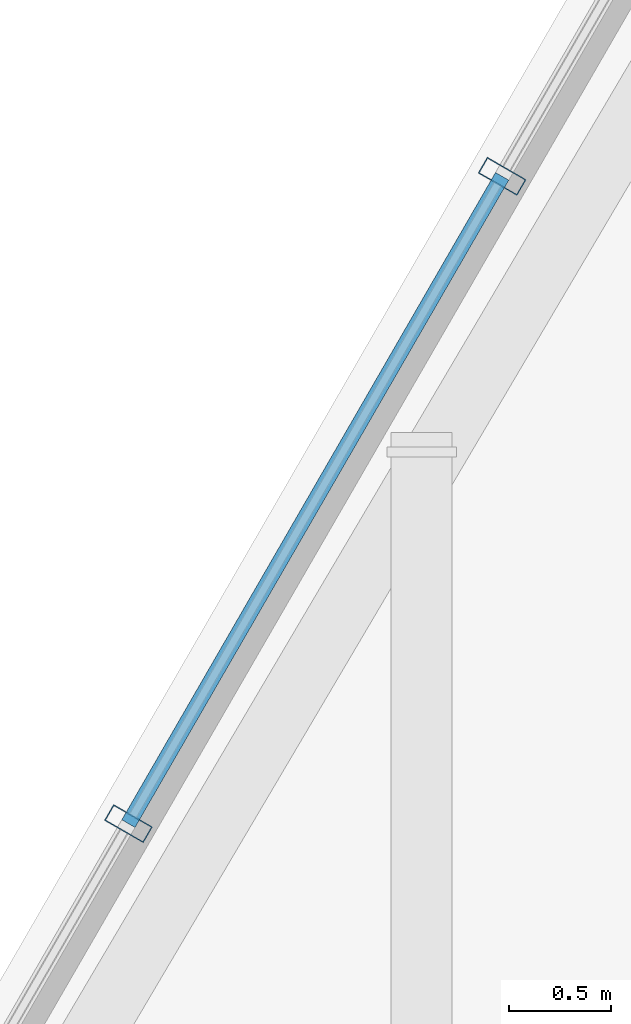
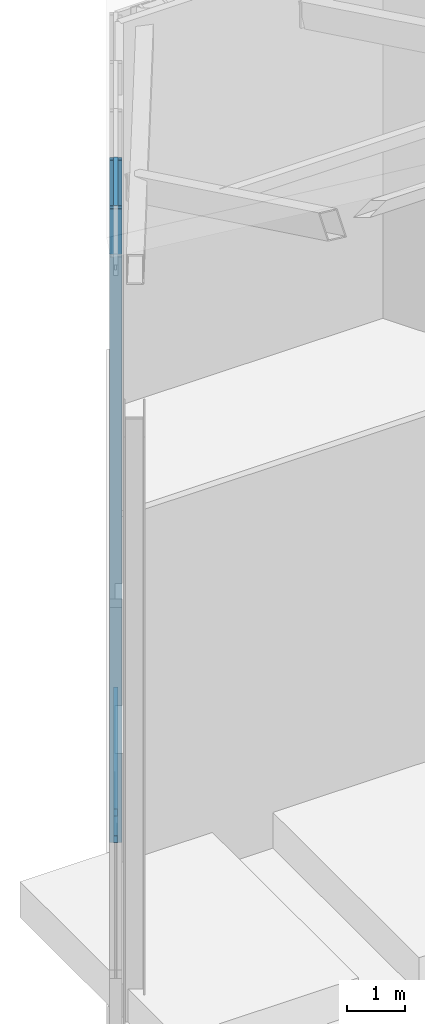
# One storey, part 19 of 36: 5 members, 2 elements without a shape of their own.
"""IFC4 building model written with IfcOpenShell, lengths in metres."""

from ifc_helpers import new_model, si_unit, direction, frame, origin, origin_2d, place, context, subcontext, project, spatial, hollow_rectangle, extrude, material, layer, layer_set, material_profile, profile_set, type_object, element, aggregate, save


model = new_model("IFC4")

# Units and contexts
model_context = context("Model", 3, precision=1e-05, world=origin(), true_north=direction((0.0, 1.0)))
body_context = subcontext(model_context, "Body", "Model", "MODEL_VIEW")
ifc_project = project(units=[si_unit("LENGTHUNIT", "METRE"), si_unit("AREAUNIT", "SQUARE_METRE"), si_unit("VOLUMEUNIT", "CUBIC_METRE"), si_unit("PLANEANGLEUNIT", "RADIAN"), si_unit("MASSUNIT", "GRAM", prefix="KILO")], contexts=[model_context])

# Site, building, storey
site_placement = place(None, origin())
site = spatial("IfcSite", under=ifc_project, at=site_placement, CompositionType="ELEMENT")
building_placement = place(site_placement, origin())
building = spatial("IfcBuilding", under=site, at=building_placement, Name="Ndaravel Arena Tower", CompositionType="ELEMENT")
storey_placement = place(building_placement, frame((0.0, 0.0, 308.10009765625)))
storey = spatial("IfcBuildingStorey", under=building, at=storey_placement, Name="Roof Crown", CompositionType="ELEMENT", Elevation=308.10009765625)

# Curtain wall, member
ifc_material_1 = material(Name="Aluminium", Category="aluminium")
ifc_layer = layer(ifc_material_1, 0.179931640625)
ifc_layer_set = layer_set([ifc_layer], Name="Aluminium")
curtain_wall_type = type_object("IfcCurtainWallType", Name="CW-SYS-06", PredefinedType="NOTDEFINED", material=ifc_layer_set)
curtain_wall_1_placement = place(storey_placement, origin())
curtain_wall_1 = element("IfcCurtainWall", 1, at=curtain_wall_1_placement, inside=storey, type_object=curtain_wall_type, Name="Roof Crown Sloped Crown Lantern Curtain Wall CW-CROWN-E05-S04", PredefinedType="NOTDEFINED")
ifc_material_2 = material(Name="Aluminium", Category="aluminium")
ifc_material_profile_1 = material_profile(ifc_material_2, hollow_rectangle(XDim=0.090087890625, YDim=0.219970703125, WallThickness=0.0048828125, at=origin_2d()), Name="CW MULLION 90x220x5")
ifc_profile_set_1 = profile_set([ifc_material_profile_1], Name="Aluminium")
member_type_1 = type_object("IfcMemberType", Name="MEM-CW-MUL220", PredefinedType="MULLION", material=ifc_profile_set_1)
member_1_placement = place(storey_placement, frame((34.59423828125, 33.823486328125, 0.0), z_axis=(0.0, 0.0, 1.0), x_axis=(-0.499984884929, -0.866034130299, 0.0)))
member_1 = element("IfcMember", 2, at=member_1_placement, type_object=member_type_1, Name="CW-CROWN-E05-S04 Mullion 00", PredefinedType="MULLION", context=body_context, shape_type="SweptSolid", body=[
    extrude(hollow_rectangle(XDim=0.090087890625, YDim=0.219970703125, WallThickness=0.0048828125, at=origin_2d()), origin(), (0.0, 0.0, 1.0), 11.7529296875),
])

curtain_wall_2_placement = place(storey_placement, origin())
curtain_wall_2 = element("IfcCurtainWall", 3, at=curtain_wall_2_placement, inside=storey, type_object=curtain_wall_type, Name="Roof Crown Sloped Crown Lantern Curtain Wall CW-CROWN-E05-S05", PredefinedType="NOTDEFINED")
member_2_placement = place(storey_placement, frame((32.765625, 30.65625, 0.0), z_axis=(0.0, 0.0, 1.0), x_axis=(-0.500015114919, -0.866016677006, 0.0)))
member_2 = element("IfcMember", 4, at=member_2_placement, type_object=member_type_1, Name="CW-CROWN-E05-S05 Mullion 00", PredefinedType="MULLION", context=body_context, shape_type="SweptSolid", body=[
    extrude(hollow_rectangle(XDim=0.090087890625, YDim=0.219970703125, WallThickness=0.0048828125, at=origin_2d()), origin(), (0.0, 0.0, 1.0), 13.297607421875),
])
aggregate(curtain_wall_2, [member_2])

# Member
ifc_material_3 = material(Name="Aluminium", Category="aluminium")
ifc_material_profile_2 = material_profile(ifc_material_3, hollow_rectangle(XDim=0.074951171875, YDim=0.14990234375, WallThickness=0.00390625, at=origin_2d()), Name="CW TRANSOM 75x150x4")
ifc_profile_set_2 = profile_set([ifc_material_profile_2], Name="Aluminium")
member_type_2 = type_object("IfcMemberType", Name="MEM-CW-TRN150", PredefinedType="USERDEFINED", material=ifc_profile_set_2)
member_3_placement = place(storey_placement, frame((34.59423828125, 33.823486328125, 0.039794921875), z_axis=(-0.500001750229, -0.866024393287, 0.0), x_axis=(0.866024393287, -0.500001750229, 0.0)))
member_3 = element("IfcMember", 5, at=member_3_placement, type_object=member_type_2, Name="CW-CROWN-E05-S04 Transom 01", ObjectType="TRANSOM", PredefinedType="USERDEFINED", context=body_context, shape_type="SweptSolid", body=[
    extrude(hollow_rectangle(XDim=0.074951171875, YDim=0.14990234375, WallThickness=0.00390625, at=origin_2d()), origin(), (0.0, 0.0, 1.0), 3.6572265625),
])

member_4_placement = place(storey_placement, frame((34.59423828125, 33.823486328125, 0.599853515625), z_axis=(-0.500001750229, -0.866024393287, 0.0), x_axis=(0.866024393287, -0.500001750229, 0.0)))
member_4 = element("IfcMember", 6, at=member_4_placement, type_object=member_type_2, Name="CW-CROWN-E05-S04 Transom 02", ObjectType="TRANSOM", PredefinedType="USERDEFINED", context=body_context, shape_type="SweptSolid", body=[
    extrude(hollow_rectangle(XDim=0.074951171875, YDim=0.14990234375, WallThickness=0.00390625, at=origin_2d()), origin(), (0.0, 0.0, 1.0), 3.6572265625),
])

member_5_placement = place(storey_placement, frame((34.59423828125, 33.823486328125, 11.712890625), z_axis=(-0.500001750229, -0.866024393287, 0.0), x_axis=(0.866024393287, -0.500001750229, 0.0)))
member_5 = element("IfcMember", 7, at=member_5_placement, type_object=member_type_2, Name="CW-CROWN-E05-S04 Transom 03", ObjectType="TRANSOM", PredefinedType="USERDEFINED", context=body_context, shape_type="SweptSolid", body=[
    extrude(hollow_rectangle(XDim=0.074951171875, YDim=0.14990234375, WallThickness=0.00390625, at=origin_2d()), origin(), (0.0, 0.0, 1.0), 3.6572265625),
])

aggregate(curtain_wall_1, [member_1, member_3, member_4, member_5])

save(model, "model.ifc")
